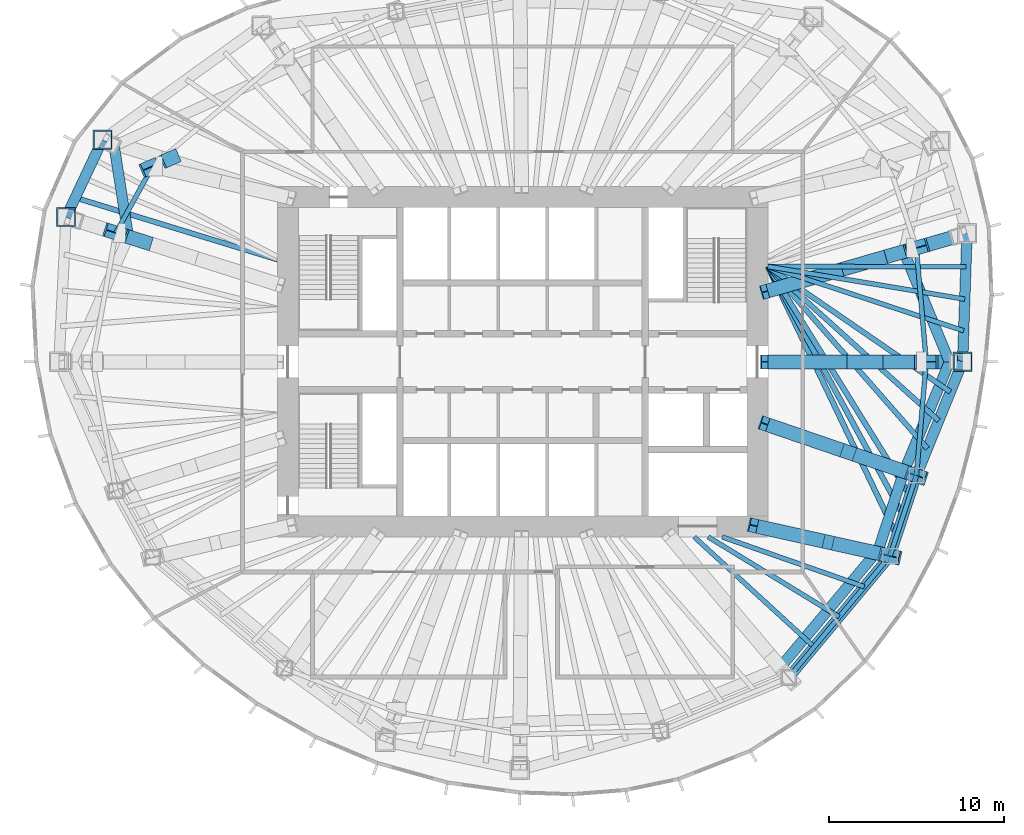
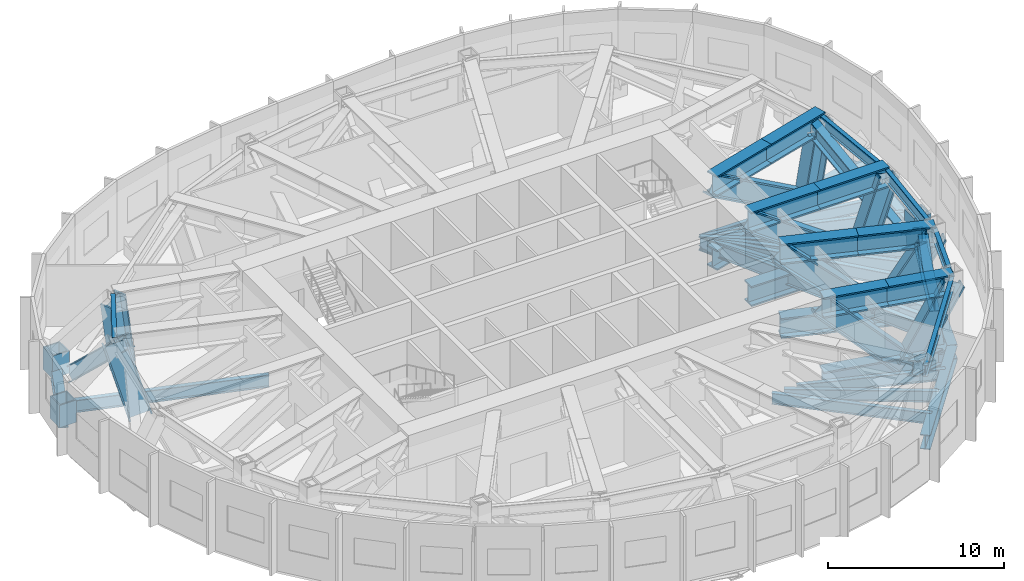
# One storey, part 3 of 11: 35 members, 18 beams.
"""IFC4 building model written with IfcOpenShell, lengths in metres."""

from ifc_helpers import new_model, si_unit, direction, frame, origin, origin_2d, place, context, subcontext, project, spatial, hollow_rectangle, i_section, extrude, material, material_profile, profile_set, type_object, element, save


model = new_model("IFC4")

# Units and contexts
model_context = context("Model", 3, precision=1e-05, world=origin(), true_north=direction((0.0, 1.0)))
body_context = subcontext(model_context, "Body", "Model", "MODEL_VIEW")
ifc_project = project(units=[si_unit("LENGTHUNIT", "METRE"), si_unit("AREAUNIT", "SQUARE_METRE"), si_unit("VOLUMEUNIT", "CUBIC_METRE"), si_unit("PLANEANGLEUNIT", "RADIAN"), si_unit("MASSUNIT", "GRAM", prefix="KILO")], contexts=[model_context])

# Site, building, storey
site_placement = place(None, origin())
site = spatial("IfcSite", under=ifc_project, at=site_placement, CompositionType="ELEMENT")
building_placement = place(site_placement, origin())
building = spatial("IfcBuilding", under=site, at=building_placement, Name="Ghaith Harvest Tower", CompositionType="ELEMENT")
storey_placement = place(building_placement, frame((0.0, 0.0, 266.199951171875)))
storey = spatial("IfcBuildingStorey", under=building, at=storey_placement, Name="L59", CompositionType="ELEMENT", Elevation=266.199951171875)

# Members
ifc_material_1 = material(Name="Steel ASTM A992 Grade 50", Category="steel")
ifc_material_profile_1 = material_profile(ifc_material_1, i_section(OverallWidth=0.26806640625, OverallDepth=0.77001953125, WebThickness=0.015625, FlangeThickness=0.025390625, at=origin_2d()), Name="W760X196")
ifc_profile_set_1 = profile_set([ifc_material_profile_1], Name="Steel ASTM A992 Grade 50")
member_type_1 = type_object("IfcMemberType", Name="BC760-196 W760X196", PredefinedType="CHORD", material=ifc_profile_set_1)
member_1_placement = place(storey_placement, frame((23.050048828125, 0.0, 4.130126953125), z_axis=(-0.086600547306, 0.996243115513, 0.0), x_axis=(-0.996243115513, -0.086600547306, 0.0)))
element("IfcMember", 1, at=member_1_placement, inside=storey, type_object=member_type_1, Name="Belt truss BT01 top chord", PredefinedType="CHORD", context=body_context, shape_type="SweptSolid", body=[
    extrude(i_section(OverallWidth=0.26806640625, OverallDepth=0.77001953125, WebThickness=0.015625, FlangeThickness=0.025390625, at=origin_2d()), origin(), (0.0, 0.0, 1.0), 6.5234375),
])
member_2_placement = place(storey_placement, frame((-21.125, 11.166015625, 4.130126953125), z_axis=(-0.482955575345, -0.875644855089, 0.0), x_axis=(0.875644855089, -0.482955575345, 0.0)))
element("IfcMember", 2, at=member_2_placement, inside=storey, type_object=member_type_1, Name="Belt truss BT09 top chord", PredefinedType="CHORD", context=body_context, shape_type="SweptSolid", body=[
    extrude(i_section(OverallWidth=0.26806640625, OverallDepth=0.77001953125, WebThickness=0.015625, FlangeThickness=0.025390625, at=origin_2d()), origin(), (0.0, 0.0, 1.0), 4.346435546875),
])
member_3_placement = place(storey_placement, frame((15.197998046875, -18.02294921875, 4.130126953125), z_axis=(0.640173759088, 0.76823014662, 0.0), x_axis=(-0.76823014662, 0.640173759088, 0.0)))
element("IfcMember", 3, at=member_3_placement, inside=storey, type_object=member_type_1, Name="Belt truss BT18 top chord", PredefinedType="CHORD", context=body_context, shape_type="SweptSolid", body=[
    extrude(i_section(OverallWidth=0.26806640625, OverallDepth=0.77001953125, WebThickness=0.015625, FlangeThickness=0.025390625, at=origin_2d()), origin(), (0.0, 0.0, 1.0), 9.02734375),
])
member_4_placement = place(storey_placement, frame((20.97705078125, -11.087890625, 4.130126953125), z_axis=(0.312206727278, 0.950014189074, 0.0), x_axis=(-0.950014189074, 0.312206727278, 0.0)))
element("IfcMember", 4, at=member_4_placement, inside=storey, type_object=member_type_1, Name="Belt truss BT19 top chord", PredefinedType="CHORD", context=body_context, shape_type="SweptSolid", body=[
    extrude(i_section(OverallWidth=0.26806640625, OverallDepth=0.77001953125, WebThickness=0.015625, FlangeThickness=0.025390625, at=origin_2d()), origin(), (0.0, 0.0, 1.0), 4.830322265625),
])
member_5_placement = place(storey_placement, frame((22.485107421875, -6.4990234375, 4.130126953125), z_axis=(0.086600547306, 0.996243115513, 0.0), x_axis=(-0.996243115513, 0.086600547306, 0.0)))
element("IfcMember", 5, at=member_5_placement, inside=storey, type_object=member_type_1, Name="Belt truss BT20 top chord", PredefinedType="CHORD", context=body_context, shape_type="SweptSolid", body=[
    extrude(i_section(OverallWidth=0.26806640625, OverallDepth=0.77001953125, WebThickness=0.015625, FlangeThickness=0.025390625, at=origin_2d()), origin(), (0.0, 0.0, 1.0), 6.5234375),
])
ifc_material_2 = material(Name="Steel S460", Category="steel")
ifc_material_profile_2 = material_profile(ifc_material_2, i_section(OverallWidth=0.60009765625, OverallDepth=0.89990234375, WebThickness=0.031982421875, FlangeThickness=0.06396484375, at=origin_2d()), Name="PG900X600X32X64")
ifc_profile_set_2 = profile_set([ifc_material_profile_2], Name="Steel S460")
member_type_2 = type_object("IfcMemberType", Name="BD900 PG900X600X32X64", PredefinedType="BRACE", material=ifc_profile_set_2)
member_6_placement = place(storey_placement, frame((24.375, 0.0, -1.0), z_axis=(-0.306161695314, 0.737760067629, 0.601643664419), x_axis=(-0.923626383846, -0.383294016473, 0.0)))
element("IfcMember", 6, at=member_6_placement, inside=storey, type_object=member_type_2, Name="Belt truss BT01 diagonal", PredefinedType="BRACE", context=body_context, shape_type="SweptSolid", body=[
    extrude(i_section(OverallWidth=0.60009765625, OverallDepth=0.89990234375, WebThickness=0.031982421875, FlangeThickness=0.06396484375, at=origin_2d()), origin(), (0.0, 0.0, 1.0), 8.52685546875),
])
member_7_placement = place(storey_placement, frame((-23.322998046875, 12.327392578125, -1.0), z_axis=(0.110808319779, -0.707092682454, 0.698384890077), x_axis=(0.987942655357, 0.154820249728, 0.0)))
element("IfcMember", 7, at=member_7_placement, inside=storey, type_object=member_type_2, Name="Belt truss BT09 diagonal", PredefinedType="BRACE", context=body_context, shape_type="SweptSolid", body=[
    extrude(i_section(OverallWidth=0.60009765625, OverallDepth=0.89990234375, WebThickness=0.031982421875, FlangeThickness=0.06396484375, at=origin_2d()), origin(), (0.0, 0.0, 1.0), 7.345703125),
])
member_8_placement = place(storey_placement, frame((14.714599609375, -17.44970703125, 4.130126953125), z_axis=(0.55246210569, 0.662255969991, -0.506164649089), x_axis=(-0.767889217194, 0.640582664546, 0.0)))
element("IfcMember", 8, at=member_8_placement, inside=storey, type_object=member_type_2, Name="Belt truss BT18 diagonal", PredefinedType="BRACE", context=body_context, shape_type="SweptSolid", body=[
    extrude(i_section(OverallWidth=0.60009765625, OverallDepth=0.89990234375, WebThickness=0.031982421875, FlangeThickness=0.06396484375, at=origin_2d()), origin(), (0.0, 0.0, 1.0), 10.13525390625),
])
member_9_placement = place(storey_placement, frame((20.31396484375, -10.737548828125, -1.0), z_axis=(0.208927198588, 0.64053189616, 0.738964353465), x_axis=(-0.950704418155, 0.310098547725, 0.0)))
element("IfcMember", 9, at=member_9_placement, inside=storey, type_object=member_type_2, Name="Belt truss BT19 diagonal", PredefinedType="BRACE", context=body_context, shape_type="SweptSolid", body=[
    extrude(i_section(OverallWidth=0.60009765625, OverallDepth=0.89990234375, WebThickness=0.031982421875, FlangeThickness=0.06396484375, at=origin_2d()), origin(), (0.0, 0.0, 1.0), 6.9423828125),
])
member_10_placement = place(storey_placement, frame((21.764404296875, -6.290771484375, 4.130126953125), z_axis=(0.306161695314, 0.737760067629, -0.601643664419), x_axis=(-0.923626383846, 0.383294016473, 0.0)))
element("IfcMember", 10, at=member_10_placement, inside=storey, type_object=member_type_2, Name="Belt truss BT20 diagonal", PredefinedType="BRACE", context=body_context, shape_type="SweptSolid", body=[
    extrude(i_section(OverallWidth=0.60009765625, OverallDepth=0.89990234375, WebThickness=0.031982421875, FlangeThickness=0.06396484375, at=origin_2d()), origin(), (0.0, 0.0, 1.0), 8.52685546875),
])

# Beams
ifc_material_3 = material(Name="Steel S460", Category="steel")
ifc_material_profile_3 = material_profile(ifc_material_3, i_section(OverallWidth=0.60009765625, OverallDepth=1.0, WebThickness=0.02490234375, FlangeThickness=0.050048828125, at=origin_2d()), Name="PG1000X600X25X50")
ifc_profile_set_3 = profile_set([ifc_material_profile_3], Name="Steel S460")
beam_type_1 = type_object("IfcBeamType", Name="EPG1000 PG1000X600X25X50", PredefinedType="SPANDREL", material=ifc_profile_set_3)
beam_1_placement = place(storey_placement, frame((25.125, 0.0, -0.800048828125), z_axis=(0.03446227584, 0.999405999354, 0.0), x_axis=(-0.999405999354, 0.03446227584, 0.0)))
element("IfcBeam", 11, at=beam_1_placement, inside=storey, type_object=beam_type_1, Name="Edge beam E01 L59", PredefinedType="SPANDREL", context=body_context, shape_type="SweptSolid", body=[
    extrude(i_section(OverallWidth=0.60009765625, OverallDepth=1.0, WebThickness=0.02490234375, FlangeThickness=0.050048828125, at=origin_2d()), origin(), (0.0, 0.0, 1.0), 7.33935546875),
])
beam_2_placement = place(storey_placement, frame((-23.986083984375, 12.677978515625, -0.800048828125), z_axis=(-0.426170247297, -0.904642979478, 0.0), x_axis=(0.904642979478, -0.426170247297, 0.0)))
element("IfcBeam", 12, at=beam_2_placement, inside=storey, type_object=beam_type_1, Name="Edge beam E09 L59", PredefinedType="SPANDREL", context=body_context, shape_type="SweptSolid", body=[
    extrude(i_section(OverallWidth=0.60009765625, OverallDepth=1.0, WebThickness=0.02490234375, FlangeThickness=0.050048828125, at=origin_2d()), origin(), (0.0, 0.0, 1.0), 4.882568359375),
])
beam_3_placement = place(storey_placement, frame((15.197998046875, -18.02294921875, -0.800048828125), z_axis=(0.640173759088, 0.76823014662, 0.0), x_axis=(-0.76823014662, 0.640173759088, 0.0)))
element("IfcBeam", 13, at=beam_3_placement, inside=storey, type_object=beam_type_1, Name="Edge beam E18 L59", PredefinedType="SPANDREL", context=body_context, shape_type="SweptSolid", body=[
    extrude(i_section(OverallWidth=0.60009765625, OverallDepth=1.0, WebThickness=0.02490234375, FlangeThickness=0.050048828125, at=origin_2d()), origin(), (0.0, 0.0, 1.0), 9.02734375),
])
beam_4_placement = place(storey_placement, frame((20.97705078125, -11.087890625, -0.800048828125), z_axis=(0.312206727278, 0.950014189074, 0.0), x_axis=(-0.950014189074, 0.312206727278, 0.0)))
element("IfcBeam", 14, at=beam_4_placement, inside=storey, type_object=beam_type_1, Name="Edge beam E19 L59", PredefinedType="SPANDREL", context=body_context, shape_type="SweptSolid", body=[
    extrude(i_section(OverallWidth=0.60009765625, OverallDepth=1.0, WebThickness=0.02490234375, FlangeThickness=0.050048828125, at=origin_2d()), origin(), (0.0, 0.0, 1.0), 4.830322265625),
])
beam_5_placement = place(storey_placement, frame((22.485107421875, -6.4990234375, -0.800048828125), z_axis=(0.376335970246, 0.926483263475, 0.0), x_axis=(-0.926483263475, 0.376335970246, 0.0)))
element("IfcBeam", 15, at=beam_5_placement, inside=storey, type_object=beam_type_1, Name="Edge beam E20 L59", PredefinedType="SPANDREL", context=body_context, shape_type="SweptSolid", body=[
    extrude(i_section(OverallWidth=0.60009765625, OverallDepth=1.0, WebThickness=0.02490234375, FlangeThickness=0.050048828125, at=origin_2d()), origin(), (0.0, 0.0, 1.0), 7.0146484375),
])
ifc_material_4 = material(Name="Steel ASTM A992 Grade 50", Category="steel")
ifc_material_profile_4 = material_profile(ifc_material_4, i_section(OverallWidth=0.26806640625, OverallDepth=0.77001953125, WebThickness=0.015625, FlangeThickness=0.025390625, at=origin_2d()), Name="W760X196")
ifc_profile_set_4 = profile_set([ifc_material_profile_4], Name="Steel ASTM A992 Grade 50")
beam_type_2 = type_object("IfcBeamType", Name="J760-196 W760X196", PredefinedType="JOIST", material=ifc_profile_set_4)
beam_6_placement = place(storey_placement, frame((14.0, 5.4462890625, -0.68505859375), z_axis=(0.950122809108, -0.311876013204, 0.0), x_axis=(0.311876013204, 0.950122809108, 0.0)))
element("IfcBeam", 16, at=beam_6_placement, inside=storey, type_object=beam_type_2, Name="Joist J01.1 L59", PredefinedType="JOIST", context=body_context, shape_type="SweptSolid", body=[
    extrude(i_section(OverallWidth=0.26806640625, OverallDepth=0.77001953125, WebThickness=0.015625, FlangeThickness=0.025390625, at=origin_2d()), origin(), (0.0, 0.0, 1.0), 11.7734375),
])
beam_7_placement = place(storey_placement, frame((14.0, 5.4462890625, -0.68505859375), z_axis=(0.986448841751, -0.16406913972, 0.0), x_axis=(0.16406913972, 0.986448841751, 0.0)))
element("IfcBeam", 17, at=beam_7_placement, inside=storey, type_object=beam_type_2, Name="Joist J01.2 L59", PredefinedType="JOIST", context=body_context, shape_type="SweptSolid", body=[
    extrude(i_section(OverallWidth=0.26806640625, OverallDepth=0.77001953125, WebThickness=0.015625, FlangeThickness=0.025390625, at=origin_2d()), origin(), (0.0, 0.0, 1.0), 11.40283203125),
])
beam_8_placement = place(storey_placement, frame((14.0, 5.4462890625, -0.68505859375), z_axis=(0.999997671003, -0.002158237301, 0.0), x_axis=(0.002158237301, 0.999997671003, 0.0)))
element("IfcBeam", 18, at=beam_8_placement, inside=storey, type_object=beam_type_2, Name="Joist J01.3 L59", PredefinedType="JOIST", context=body_context, shape_type="SweptSolid", body=[
    extrude(i_section(OverallWidth=0.26806640625, OverallDepth=0.77001953125, WebThickness=0.015625, FlangeThickness=0.025390625, at=origin_2d()), origin(), (0.0, 0.0, 1.0), 11.31201171875),
])
beam_9_placement = place(storey_placement, frame((9.800048828125, -10.0, -0.68505859375), z_axis=(0.736998187228, -0.675894719629, 0.0), x_axis=(0.675894719629, 0.736998187228, 0.0)))
element("IfcBeam", 19, at=beam_9_placement, inside=storey, type_object=beam_type_2, Name="Joist J18.1 L59", PredefinedType="JOIST", context=body_context, shape_type="SweptSolid", body=[
    extrude(i_section(OverallWidth=0.26806640625, OverallDepth=0.77001953125, WebThickness=0.015625, FlangeThickness=0.025390625, at=origin_2d()), origin(), (0.0, 0.0, 1.0), 9.293701171875),
])
beam_10_placement = place(storey_placement, frame((10.60009765625, -10.0, -0.68505859375), z_axis=(0.853467052113, -0.521146803654, 0.0), x_axis=(0.521146803654, 0.853467052113, 0.0)))
element("IfcBeam", 20, at=beam_10_placement, inside=storey, type_object=beam_type_2, Name="Joist J18.2 L59", PredefinedType="JOIST", context=body_context, shape_type="SweptSolid", body=[
    extrude(i_section(OverallWidth=0.26806640625, OverallDepth=0.77001953125, WebThickness=0.015625, FlangeThickness=0.025390625, at=origin_2d()), origin(), (0.0, 0.0, 1.0), 8.76220703125),
])
beam_11_placement = place(storey_placement, frame((11.39990234375, -10.0, -0.68505859375), z_axis=(0.943605274188, -0.331072630285, 0.0), x_axis=(0.331072630285, 0.943605274188, 0.0)))
element("IfcBeam", 21, at=beam_11_placement, inside=storey, type_object=beam_type_2, Name="Joist J18.3 L59", PredefinedType="JOIST", context=body_context, shape_type="SweptSolid", body=[
    extrude(i_section(OverallWidth=0.26806640625, OverallDepth=0.77001953125, WebThickness=0.015625, FlangeThickness=0.025390625, at=origin_2d()), origin(), (0.0, 0.0, 1.0), 8.596923828125),
])
ifc_material_5 = material(Name="Steel ASTM A992 Grade 50", Category="steel")
ifc_material_profile_5 = material_profile(ifc_material_5, i_section(OverallWidth=0.2939453125, OverallDepth=0.85107421875, WebThickness=0.01611328125, FlangeThickness=0.02685546875, at=origin_2d()), Name="W840X226")
ifc_profile_set_5 = profile_set([ifc_material_profile_5], Name="Steel ASTM A992 Grade 50")
beam_type_3 = type_object("IfcBeamType", Name="J840-226 W840X226", PredefinedType="JOIST", material=ifc_profile_set_5)
beam_12_placement = place(storey_placement, frame((-14.0, 5.8369140625, -0.725341796875), z_axis=(-0.95611420064, 0.292994258194, 0.0), x_axis=(-0.292994258194, -0.95611420064, 0.0)))
element("IfcBeam", 22, at=beam_12_placement, inside=storey, type_object=beam_type_3, Name="Joist J09.3 L59", PredefinedType="JOIST", context=body_context, shape_type="SweptSolid", body=[
    extrude(i_section(OverallWidth=0.2939453125, OverallDepth=0.85107421875, WebThickness=0.01611328125, FlangeThickness=0.02685546875, at=origin_2d()), origin(), (0.0, 0.0, 1.0), 12.072265625),
])
beam_13_placement = place(storey_placement, frame((14.0, 5.4462890625, -0.725341796875), z_axis=(0.659159409697, -0.752003239759, 0.0), x_axis=(0.752003239759, 0.659159409697, 0.0)))
element("IfcBeam", 23, at=beam_13_placement, inside=storey, type_object=beam_type_3, Name="Joist J20.1 L59", PredefinedType="JOIST", context=body_context, shape_type="SweptSolid", body=[
    extrude(i_section(OverallWidth=0.2939453125, OverallDepth=0.85107421875, WebThickness=0.01611328125, FlangeThickness=0.02685546875, at=origin_2d()), origin(), (0.0, 0.0, 1.0), 13.826416015625),
])
beam_14_placement = place(storey_placement, frame((14.0, 5.4462890625, -0.725341796875), z_axis=(0.742222114125, -0.670153962388, 0.0), x_axis=(0.670153962388, 0.742222114125, 0.0)))
element("IfcBeam", 24, at=beam_14_placement, inside=storey, type_object=beam_type_3, Name="Joist J20.2 L59", PredefinedType="JOIST", context=body_context, shape_type="SweptSolid", body=[
    extrude(i_section(OverallWidth=0.2939453125, OverallDepth=0.85107421875, WebThickness=0.01611328125, FlangeThickness=0.02685546875, at=origin_2d()), origin(), (0.0, 0.0, 1.0), 13.1474609375),
])
beam_15_placement = place(storey_placement, frame((14.0, 5.4462890625, -0.725341796875), z_axis=(0.824059941159, -0.566502615507, 0.0), x_axis=(0.566502615507, 0.824059941159, 0.0)))
element("IfcBeam", 25, at=beam_15_placement, inside=storey, type_object=beam_type_3, Name="Joist J20.3 L59", PredefinedType="JOIST", context=body_context, shape_type="SweptSolid", body=[
    extrude(i_section(OverallWidth=0.2939453125, OverallDepth=0.85107421875, WebThickness=0.01611328125, FlangeThickness=0.02685546875, at=origin_2d()), origin(), (0.0, 0.0, 1.0), 12.651611328125),
])
ifc_material_6 = material(Name="Steel ASTM A992 Grade 50", Category="steel")
ifc_material_profile_6 = material_profile(ifc_material_6, i_section(OverallWidth=0.31005859375, OverallDepth=0.927001953125, WebThickness=0.019287109375, FlangeThickness=0.031982421875, at=origin_2d()), Name="W920X289")
ifc_profile_set_6 = profile_set([ifc_material_profile_6], Name="Steel ASTM A992 Grade 50")
beam_type_4 = type_object("IfcBeamType", Name="J920-289 W920X289", PredefinedType="JOIST", material=ifc_profile_set_6)
beam_16_placement = place(storey_placement, frame((14.0, 5.4462890625, -0.763427734375), z_axis=(0.526907591611, -0.849922578769, 0.0), x_axis=(0.849922578769, 0.526907591611, 0.0)))
element("IfcBeam", 26, at=beam_16_placement, inside=storey, type_object=beam_type_4, Name="Joist J19.3 L59", PredefinedType="JOIST", context=body_context, shape_type="SweptSolid", body=[
    extrude(i_section(OverallWidth=0.31005859375, OverallDepth=0.927001953125, WebThickness=0.019287109375, FlangeThickness=0.031982421875, at=origin_2d()), origin(), (0.0, 0.0, 1.0), 15.393798828125),
])
ifc_material_7 = material(Name="Steel ASTM A992 Grade 50", Category="steel")
ifc_material_profile_7 = material_profile(ifc_material_7, i_section(OverallWidth=0.306884765625, OverallDepth=0.94189453125, WebThickness=0.022216796875, FlangeThickness=0.039794921875, at=origin_2d()), Name="W920X345")
ifc_profile_set_7 = profile_set([ifc_material_profile_7], Name="Steel ASTM A992 Grade 50")
beam_type_5 = type_object("IfcBeamType", Name="J920-345 W920X345", PredefinedType="JOIST", material=ifc_profile_set_7)
beam_17_placement = place(storey_placement, frame((14.0, 5.4462890625, -0.77099609375), z_axis=(0.431791030419, -0.901973672592, 0.0), x_axis=(0.901973672592, 0.431791030419, 0.0)))
element("IfcBeam", 27, at=beam_17_placement, inside=storey, type_object=beam_type_5, Name="Joist J19.1 L59", PredefinedType="JOIST", context=body_context, shape_type="SweptSolid", body=[
    extrude(i_section(OverallWidth=0.306884765625, OverallDepth=0.94189453125, WebThickness=0.022216796875, FlangeThickness=0.039794921875, at=origin_2d()), origin(), (0.0, 0.0, 1.0), 17.042724609375),
])
beam_18_placement = place(storey_placement, frame((14.0, 5.4462890625, -0.77099609375), z_axis=(0.477785828907, -0.878476352383, 0.0), x_axis=(0.878476352383, 0.477785828907, 0.0)))
element("IfcBeam", 28, at=beam_18_placement, inside=storey, type_object=beam_type_5, Name="Joist J19.2 L59", PredefinedType="JOIST", context=body_context, shape_type="SweptSolid", body=[
    extrude(i_section(OverallWidth=0.306884765625, OverallDepth=0.94189453125, WebThickness=0.022216796875, FlangeThickness=0.039794921875, at=origin_2d()), origin(), (0.0, 0.0, 1.0), 16.191650390625),
])

# Members
ifc_material_8 = material(Name="Steel S460M", Category="steel")
ifc_material_profile_8 = material_profile(ifc_material_8, hollow_rectangle(XDim=1.10009765625, YDim=1.10009765625, WallThickness=0.080078125, at=origin_2d()), Name="BOX1100X1100X80")
ifc_profile_set_8 = profile_set([ifc_material_profile_8], Name="Steel S460M")
member_type_3 = type_object("IfcMemberType", Name="KN1 BOX1100X1100X80", PredefinedType="USERDEFINED", material=ifc_profile_set_8)
for number, where, z_axis, x_axis, name in (
    (29, (25.125, 0.0, -0.77490234375), (0.0, 0.0, 1.0), (1.0, 0.0, 0.0), "Raked column kink node C01 base L59"),
    (30, (-23.986083984375, 12.677978515625, -0.77490234375), (0.0, 0.0, 1.0), (1.0, 0.0, 0.0), "Raked column kink node C09 base L59"),
    (31, (-26.06689453125, 8.260986328125, -0.77490234375), (0.0, 0.0, 1.0), (1.0, 0.0, 0.0), "Raked column kink node C10 base L59"),
):
    element("IfcMember", number, at=place(storey_placement, frame(where, z_axis=z_axis, x_axis=x_axis)), inside=storey, type_object=member_type_3, Name=name, ObjectType="KINK NODE", PredefinedType="USERDEFINED", context=body_context, shape_type="SweptSolid", body=[
        extrude(hollow_rectangle(XDim=1.10009765625, YDim=1.10009765625, WallThickness=0.080078125, at=origin_2d()), origin(), (0.0, 0.0, 1.0), 1.550048828125),
    ])
ifc_material_9 = material(Name="Steel S460", Category="steel")
ifc_material_profile_9 = material_profile(ifc_material_9, i_section(OverallWidth=0.800048828125, OverallDepth=1.39990234375, WebThickness=0.050048828125, FlangeThickness=0.10009765625, at=origin_2d()), Name="PG1400X800X50X100")
ifc_profile_set_9 = profile_set([ifc_material_profile_9], Name="Steel S460")
member_type_4 = type_object("IfcMemberType", Name="OC1400 PG1400X800X50X100", PredefinedType="CHORD", material=ifc_profile_set_9)
member_11_placement = place(storey_placement, frame((14.0, 0.0, -1.0), z_axis=(1.0, 0.0, 0.0), x_axis=(0.0, 1.0, 0.0)))
element("IfcMember", 32, at=member_11_placement, inside=storey, type_object=member_type_4, Name="Outrigger truss OT01 bottom chord", PredefinedType="CHORD", context=body_context, shape_type="SweptSolid", body=[
    extrude(i_section(OverallWidth=0.800048828125, OverallDepth=1.39990234375, WebThickness=0.050048828125, FlangeThickness=0.10009765625, at=origin_2d()), origin(), (0.0, 0.0, 1.0), 11.125),
])
member_12_placement = place(storey_placement, frame((14.0, 0.0, 4.130126953125), z_axis=(1.0, 0.0, 0.0), x_axis=(0.0, 1.0, 0.0)))
element("IfcMember", 33, at=member_12_placement, inside=storey, type_object=member_type_4, Name="Outrigger truss OT01 top chord 1", PredefinedType="CHORD", context=body_context, shape_type="SweptSolid", body=[
    extrude(i_section(OverallWidth=0.800048828125, OverallDepth=1.39990234375, WebThickness=0.050048828125, FlangeThickness=0.10009765625, at=origin_2d()), origin(), (0.0, 0.0, 1.0), 4.52490234375),
])
member_13_placement = place(storey_placement, frame((18.52490234375, 0.0, 4.130126953125), z_axis=(1.0, 0.0, 0.0), x_axis=(0.0, 1.0, 0.0)))
element("IfcMember", 34, at=member_13_placement, inside=storey, type_object=member_type_4, Name="Outrigger truss OT01 top chord 2", PredefinedType="CHORD", context=body_context, shape_type="SweptSolid", body=[
    extrude(i_section(OverallWidth=0.800048828125, OverallDepth=1.39990234375, WebThickness=0.050048828125, FlangeThickness=0.10009765625, at=origin_2d()), origin(), (0.0, 0.0, 1.0), 4.525146484375),
])
member_14_placement = place(storey_placement, frame((14.0, 4.04638671875, -1.0), z_axis=(0.960677776578, 0.277665643518, 0.0), x_axis=(-0.277665643518, 0.960677776578, 0.0)))
element("IfcMember", 35, at=member_14_placement, inside=storey, type_object=member_type_4, Name="Outrigger truss OT02 bottom chord", PredefinedType="CHORD", context=body_context, shape_type="SweptSolid", body=[
    extrude(i_section(OverallWidth=0.800048828125, OverallDepth=1.39990234375, WebThickness=0.050048828125, FlangeThickness=0.10009765625, at=origin_2d()), origin(), (0.0, 0.0, 1.0), 11.84375),
])
member_15_placement = place(storey_placement, frame((14.0, 4.04638671875, 4.130126953125), z_axis=(0.960670276227, 0.27769159219, 0.0), x_axis=(-0.27769159219, 0.960670276227, 0.0)))
element("IfcMember", 36, at=member_15_placement, inside=storey, type_object=member_type_4, Name="Outrigger truss OT02 top chord 1", PredefinedType="CHORD", context=body_context, shape_type="SweptSolid", body=[
    extrude(i_section(OverallWidth=0.800048828125, OverallDepth=1.39990234375, WebThickness=0.050048828125, FlangeThickness=0.10009765625, at=origin_2d()), origin(), (0.0, 0.0, 1.0), 4.416015625),
])
member_16_placement = place(storey_placement, frame((18.242431640625, 5.272705078125, 4.130126953125), z_axis=(0.960674538983, 0.277676844822, 0.0), x_axis=(-0.277676844822, 0.960674538983, 0.0)))
element("IfcMember", 37, at=member_16_placement, inside=storey, type_object=member_type_4, Name="Outrigger truss OT02 top chord 2", PredefinedType="CHORD", context=body_context, shape_type="SweptSolid", body=[
    extrude(i_section(OverallWidth=0.800048828125, OverallDepth=1.39990234375, WebThickness=0.050048828125, FlangeThickness=0.10009765625, at=origin_2d()), origin(), (0.0, 0.0, 1.0), 4.416259765625),
])
member_17_placement = place(storey_placement, frame((13.39990234375, -9.39990234375, -1.0), z_axis=(0.976072966565, -0.217443243035, 0.0), x_axis=(0.217443243035, 0.976072966565, 0.0)))
element("IfcMember", 38, at=member_17_placement, inside=storey, type_object=member_type_4, Name="Outrigger truss OT19 bottom chord", PredefinedType="CHORD", context=body_context, shape_type="SweptSolid", body=[
    extrude(i_section(OverallWidth=0.800048828125, OverallDepth=1.39990234375, WebThickness=0.050048828125, FlangeThickness=0.10009765625, at=origin_2d()), origin(), (0.0, 0.0, 1.0), 7.762939453125),
])
for number, where, z_axis, x_axis, name in (
    (39, (13.39990234375, -9.39990234375, 4.130126953125), (0.976072966565, -0.217443243035, 0.0), (0.217443243035, 0.976072966565, 0.0), "Outrigger truss OT19 top chord 1"),
    (40, (17.1884765625, -10.243896484375, 4.130126953125), (0.976072966565, -0.217443243035, 0.0), (0.217443243035, 0.976072966565, 0.0), "Outrigger truss OT19 top chord 2"),
):
    element("IfcMember", number, at=place(storey_placement, frame(where, z_axis=z_axis, x_axis=x_axis)), inside=storey, type_object=member_type_4, Name=name, PredefinedType="CHORD", context=body_context, shape_type="SweptSolid", body=[
        extrude(i_section(OverallWidth=0.800048828125, OverallDepth=1.39990234375, WebThickness=0.050048828125, FlangeThickness=0.10009765625, at=origin_2d()), origin(), (0.0, 0.0, 1.0), 3.88134765625),
    ])
member_18_placement = place(storey_placement, frame((14.0, -3.60009765625, -1.0), z_axis=(0.94629622913, -0.323300861018, 0.0), x_axis=(0.323300861018, 0.94629622913, 0.0)))
element("IfcMember", 41, at=member_18_placement, inside=storey, type_object=member_type_4, Name="Outrigger truss OT20 bottom chord", PredefinedType="CHORD", context=body_context, shape_type="SweptSolid", body=[
    extrude(i_section(OverallWidth=0.800048828125, OverallDepth=1.39990234375, WebThickness=0.050048828125, FlangeThickness=0.10009765625, at=origin_2d()), origin(), (0.0, 0.0, 1.0), 8.966552734375),
])
member_19_placement = place(storey_placement, frame((14.0, -3.60009765625, 4.130126953125), z_axis=(0.946293383094, -0.323309191197, 0.0), x_axis=(0.323309191197, 0.946293383094, 0.0)))
element("IfcMember", 42, at=member_19_placement, inside=storey, type_object=member_type_4, Name="Outrigger truss OT20 top chord 1", PredefinedType="CHORD", context=body_context, shape_type="SweptSolid", body=[
    extrude(i_section(OverallWidth=0.800048828125, OverallDepth=1.39990234375, WebThickness=0.050048828125, FlangeThickness=0.10009765625, at=origin_2d()), origin(), (0.0, 0.0, 1.0), 4.483154296875),
])
member_20_placement = place(storey_placement, frame((18.242431640625, -5.049560546875, 4.130126953125), z_axis=(0.946299074945, -0.323292531244, 0.0), x_axis=(0.323292531244, 0.946299074945, 0.0)))
element("IfcMember", 43, at=member_20_placement, inside=storey, type_object=member_type_4, Name="Outrigger truss OT20 top chord 2", PredefinedType="CHORD", context=body_context, shape_type="SweptSolid", body=[
    extrude(i_section(OverallWidth=0.800048828125, OverallDepth=1.39990234375, WebThickness=0.050048828125, FlangeThickness=0.10009765625, at=origin_2d()), origin(), (0.0, 0.0, 1.0), 4.4833984375),
])
ifc_material_10 = material(Name="Steel S460", Category="steel")
ifc_material_profile_10 = material_profile(ifc_material_10, i_section(OverallWidth=0.800048828125, OverallDepth=1.39990234375, WebThickness=0.050048828125, FlangeThickness=0.10009765625, at=origin_2d()), Name="PG1400X800X50X100")
ifc_profile_set_10 = profile_set([ifc_material_profile_10], Name="Steel S460")
member_type_5 = type_object("IfcMemberType", Name="OD1400 PG1400X800X50X100", PredefinedType="BRACE", material=ifc_profile_set_10)
member_21_placement = place(storey_placement, frame((14.0, 0.0, 4.130126953125), z_axis=(0.815597270925, 0.0, -0.578619988991), x_axis=(0.0, 1.0, 0.0)))
element("IfcMember", 44, at=member_21_placement, inside=storey, type_object=member_type_5, Name="Outrigger truss OT01 diagonal 1", PredefinedType="BRACE", context=body_context, shape_type="SweptSolid", body=[
    extrude(i_section(OverallWidth=0.800048828125, OverallDepth=1.39990234375, WebThickness=0.050048828125, FlangeThickness=0.10009765625, at=origin_2d()), origin(), (0.0, 0.0, 1.0), 8.8662109375),
])
member_22_placement = place(storey_placement, frame((21.231201171875, 0.0, -1.0), z_axis=(0.334161810403, 0.0, 0.942515721072), x_axis=(0.0, 1.0, 0.0)))
element("IfcMember", 45, at=member_22_placement, inside=storey, type_object=member_type_5, Name="Outrigger truss OT01 diagonal 2", PredefinedType="BRACE", context=body_context, shape_type="SweptSolid", body=[
    extrude(i_section(OverallWidth=0.800048828125, OverallDepth=1.39990234375, WebThickness=0.050048828125, FlangeThickness=0.10009765625, at=origin_2d()), origin(), (0.0, 0.0, 1.0), 5.443115234375),
])
member_23_placement = place(storey_placement, frame((14.0, 4.04638671875, 4.130126953125), z_axis=(0.799435222664, 0.231071693449, -0.554535118141), x_axis=(-0.277676893663, 0.960674524866, 0.0)))
element("IfcMember", 46, at=member_23_placement, inside=storey, type_object=member_type_5, Name="Outrigger truss OT02 diagonal 1", PredefinedType="BRACE", context=body_context, shape_type="SweptSolid", body=[
    extrude(i_section(OverallWidth=0.800048828125, OverallDepth=1.39990234375, WebThickness=0.050048828125, FlangeThickness=0.10009765625, at=origin_2d()), origin(), (0.0, 0.0, 1.0), 9.251220703125),
])
member_24_placement = place(storey_placement, frame((21.395751953125, 6.18408203125, -1.0), z_axis=(0.207339922676, 0.059943635198, 0.976430702643), x_axis=(-0.277733944916, 0.960658032726, 0.0)))
element("IfcMember", 47, at=member_24_placement, inside=storey, type_object=member_type_5, Name="Outrigger truss OT02 diagonal 2", PredefinedType="BRACE", context=body_context, shape_type="SweptSolid", body=[
    extrude(i_section(OverallWidth=0.800048828125, OverallDepth=1.39990234375, WebThickness=0.050048828125, FlangeThickness=0.10009765625, at=origin_2d()), origin(), (0.0, 0.0, 1.0), 5.25390625),
])
member_25_placement = place(storey_placement, frame((-20.281005859375, 11.53076171875, -1.0), z_axis=(-0.161936974522, -0.069983754682, 0.98431635685), x_axis=(0.396705577713, -0.917945905057, 0.0)))
element("IfcMember", 48, at=member_25_placement, inside=storey, type_object=member_type_5, Name="Outrigger truss OT09 diagonal 2", PredefinedType="BRACE", context=body_context, shape_type="SweptSolid", body=[
    extrude(i_section(OverallWidth=0.800048828125, OverallDepth=1.39990234375, WebThickness=0.050048828125, FlangeThickness=0.10009765625, at=origin_2d()), origin(), (0.0, 0.0, 1.0), 5.2119140625),
])
member_26_placement = place(storey_placement, frame((-21.843505859375, 6.922607421875, -1.0), z_axis=(-0.258996220499, 0.08207271921, 0.962385071855), x_axis=(-0.302083210719, -0.953281560611, 0.0)))
element("IfcMember", 49, at=member_26_placement, inside=storey, type_object=member_type_5, Name="Outrigger truss OT10 diagonal 2", PredefinedType="BRACE", context=body_context, shape_type="SweptSolid", body=[
    extrude(i_section(OverallWidth=0.800048828125, OverallDepth=1.39990234375, WebThickness=0.050048828125, FlangeThickness=0.10009765625, at=origin_2d()), origin(), (0.0, 0.0, 1.0), 5.33056640625),
])
member_27_placement = place(storey_placement, frame((13.39990234375, -9.39990234375, 4.130126953125), z_axis=(0.684457898948, -0.15250511826, -0.712923259175), x_axis=(0.217478566942, 0.976065096661, 0.0)))
element("IfcMember", 50, at=member_27_placement, inside=storey, type_object=member_type_5, Name="Outrigger truss OT19 diagonal 1", PredefinedType="BRACE", context=body_context, shape_type="SweptSolid", body=[
    extrude(i_section(OverallWidth=0.800048828125, OverallDepth=1.39990234375, WebThickness=0.050048828125, FlangeThickness=0.10009765625, at=origin_2d()), origin(), (0.0, 0.0, 1.0), 7.19580078125),
])
member_28_placement = place(storey_placement, frame((18.3251953125, -10.497314453125, -1.0), z_axis=(0.456813868674, -0.101733819584, 0.883725816834), x_axis=(0.217377633651, 0.976087580286, 0.0)))
element("IfcMember", 51, at=member_28_placement, inside=storey, type_object=member_type_5, Name="Outrigger truss OT19 diagonal 2", PredefinedType="BRACE", context=body_context, shape_type="SweptSolid", body=[
    extrude(i_section(OverallWidth=0.800048828125, OverallDepth=1.39990234375, WebThickness=0.050048828125, FlangeThickness=0.10009765625, at=origin_2d()), origin(), (0.0, 0.0, 1.0), 5.80517578125),
])
member_29_placement = place(storey_placement, frame((14.0, -3.60009765625, 4.130126953125), z_axis=(0.710329092407, -0.242677169457, -0.66071201889), x_axis=(0.3232939062, 0.946298605205, 0.0)))
element("IfcMember", 52, at=member_29_placement, inside=storey, type_object=member_type_5, Name="Outrigger truss OT20 diagonal 1", PredefinedType="BRACE", context=body_context, shape_type="SweptSolid", body=[
    extrude(i_section(OverallWidth=0.800048828125, OverallDepth=1.39990234375, WebThickness=0.050048828125, FlangeThickness=0.10009765625, at=origin_2d()), origin(), (0.0, 0.0, 1.0), 7.7646484375),
])
member_30_placement = place(storey_placement, frame((19.515380859375, -5.484375, -1.0), z_axis=(0.493810455764, -0.168717219184, 0.853044977554), x_axis=(0.323313777377, 0.946291816174, 0.0)))
element("IfcMember", 53, at=member_30_placement, inside=storey, type_object=member_type_5, Name="Outrigger truss OT20 diagonal 2", PredefinedType="BRACE", context=body_context, shape_type="SweptSolid", body=[
    extrude(i_section(OverallWidth=0.800048828125, OverallDepth=1.39990234375, WebThickness=0.050048828125, FlangeThickness=0.10009765625, at=origin_2d()), origin(), (0.0, 0.0, 1.0), 6.013916015625),
])

save(model, "model.ifc")
